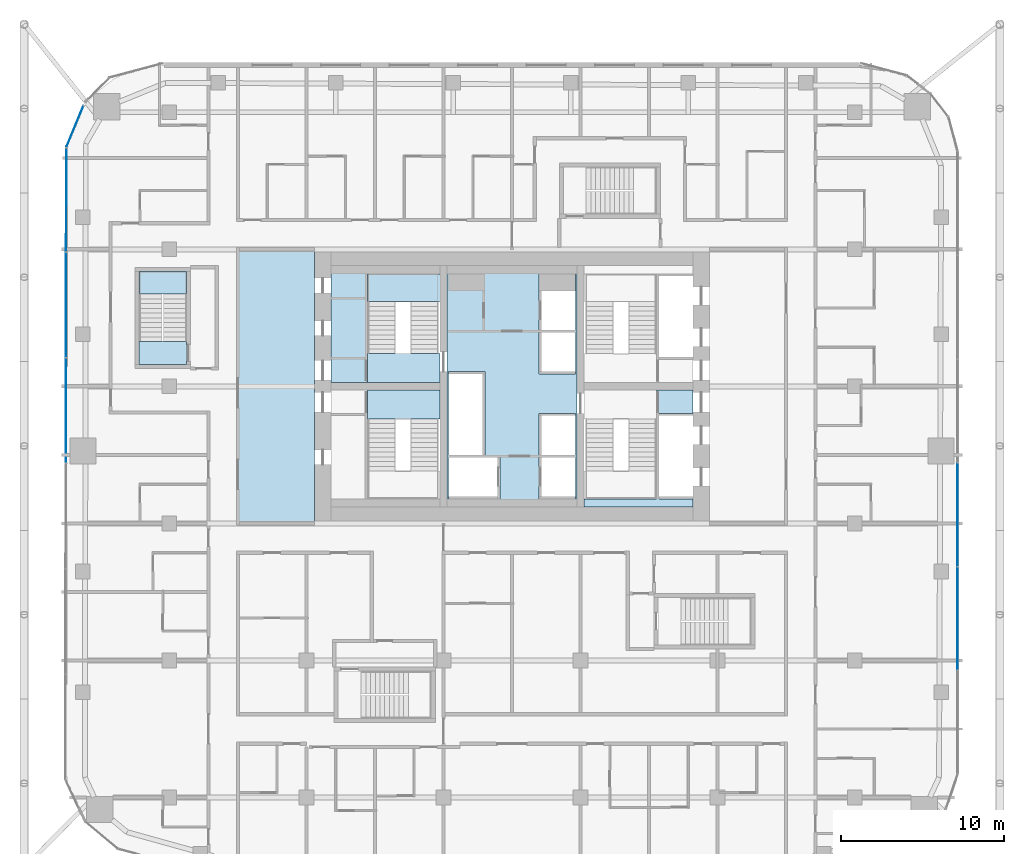
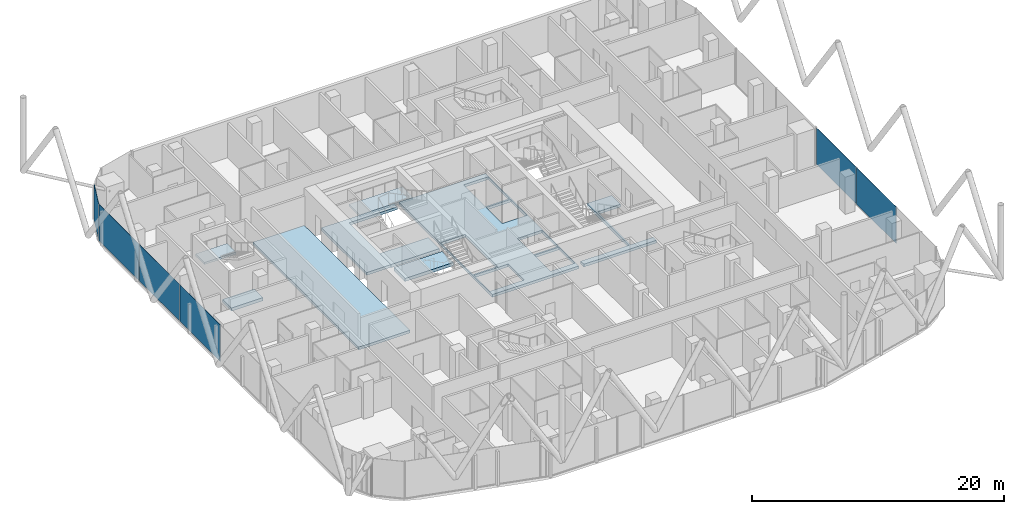
# One storey, part 21 of 33: 9 slabs, 6 plates, 5 elements without a shape of their own.
"""IFC4 building model written with IfcOpenShell, lengths in metres."""

from ifc_helpers import new_model, si_unit, direction, frame, origin, origin_2d, place, context, subcontext, project, spatial, polyline, rectangle, outline, extrude, material, layer, layer_set, type_object, element, aggregate, save


model = new_model("IFC4")

# Units and contexts
model_context = context("Model", 3, precision=1e-05, world=origin(), true_north=direction((0.0, 1.0)))
body_context = subcontext(model_context, "Body", "Model", "MODEL_VIEW")
ifc_project = project(units=[si_unit("LENGTHUNIT", "METRE"), si_unit("AREAUNIT", "SQUARE_METRE"), si_unit("VOLUMEUNIT", "CUBIC_METRE"), si_unit("PLANEANGLEUNIT", "RADIAN"), si_unit("MASSUNIT", "GRAM", prefix="KILO")], contexts=[model_context])

# Site, building, storey
site_placement = place(None, origin())
site = spatial("IfcSite", under=ifc_project, at=site_placement, CompositionType="ELEMENT")
building_placement = place(site_placement, origin())
building = spatial("IfcBuilding", under=site, at=building_placement, Name="Marenta Gate Hotel Tower", CompositionType="ELEMENT")
storey_placement = place(building_placement, frame((0.0, 0.0, 122.89990234375)))
storey = spatial("IfcBuildingStorey", under=building, at=storey_placement, Name="L27", CompositionType="ELEMENT", Elevation=122.89990234375)

# Slabs
ifc_material_1 = material(Name="Concrete C40", Category="concrete")
ifc_layer_1 = layer(ifc_material_1, 0.260009765625)
ifc_layer_set_1 = layer_set([ifc_layer_1], Name="Concrete C40")
slab_type_1 = type_object("IfcSlabType", Name="Core floor slab 260", PredefinedType="FLOOR", material=ifc_layer_set_1)
slab_1_placement = place(storey_placement, frame((0.0, 0.0, -0.260009765625)))
element("IfcSlab", 1, at=slab_1_placement, inside=storey, type_object=slab_type_1, Name="L27-CF-2", PredefinedType="FLOOR", context=body_context, shape_type="SweptSolid", body=[
    extrude(outline(polyline([(8.85009765625, 1.5), (8.85009765625, 6.39990234375), (8.85009765625, 8.10009765625), (8.85009765625, 8.175048828125), (11.10009765625, 8.175048828125), (11.10009765625, 6.75), (9.0, 6.75), (9.0, 6.60009765625), (9.0, 4.199951171875), (9.0, 4.050048828125), (9.0, 1.64990234375), (9.0, 1.5), (11.10009765625, 1.5), (11.10009765625, 1.0), (4.425048828125, 1.0), (4.425048828125, 1.5), (8.85009765625, 1.5)])), origin(), (0.0, 0.0, 1.0), 0.260009765625),
])
slab_2_placement = place(storey_placement, frame((0.0, 0.0, -0.260009765625)))
element("IfcSlab", 2, at=slab_2_placement, inside=storey, type_object=slab_type_1, Name="L27-CF-4", PredefinedType="FLOOR", context=body_context, shape_type="SweptSolid", body=[
    extrude(outline(polyline([(3.97509765625, 15.300048828125), (3.97509765625, 10.39990234375), (3.97509765625, 6.39990234375), (3.97509765625, 1.5), (3.97509765625, 1.0), (-3.97509765625, 1.0), (-3.97509765625, 1.5), (-3.97509765625, 6.39990234375), (-3.97509765625, 10.39990234375), (-3.97509765625, 15.300048828125), (-3.97509765625, 15.800048828125), (3.97509765625, 15.800048828125), (3.97509765625, 15.300048828125)]), holes=[polyline([(1.64990234375, 1.5), (3.89990234375, 1.5), (3.89990234375, 1.64990234375), (3.89990234375, 4.050048828125), (1.800048828125, 4.050048828125), (1.64990234375, 4.050048828125), (1.64990234375, 1.64990234375), (1.64990234375, 1.5)]), polyline([(1.64990234375, 6.60009765625), (1.64990234375, 4.199951171875), (1.800048828125, 4.199951171875), (3.89990234375, 4.199951171875), (3.89990234375, 6.60009765625), (3.89990234375, 6.75), (1.64990234375, 6.75), (1.64990234375, 6.60009765625)]), polyline([(1.64990234375, 9.14990234375), (3.89990234375, 9.14990234375), (3.89990234375, 9.300048828125), (3.89990234375, 11.699951171875), (1.800048828125, 11.699951171875), (1.64990234375, 11.699951171875), (1.64990234375, 9.300048828125), (1.64990234375, 9.14990234375)]), polyline([(1.64990234375, 15.300048828125), (1.64990234375, 14.25), (1.64990234375, 11.85009765625), (1.800048828125, 11.85009765625), (3.89990234375, 11.85009765625), (3.89990234375, 14.25), (3.89990234375, 15.300048828125), (1.64990234375, 15.300048828125)]), polyline([(-3.89990234375, 4.050048828125), (-3.89990234375, 1.64990234375), (-3.89990234375, 1.5), (-0.89990234375, 1.5), (-0.75, 1.5), (-0.75, 4.050048828125), (-0.89990234375, 4.050048828125), (-3.89990234375, 4.050048828125)]), polyline([(-1.800048828125, 4.199951171875), (-1.64990234375, 4.199951171875), (-1.64990234375, 9.14990234375), (-1.64990234375, 9.300048828125), (-3.89990234375, 9.300048828125), (-3.89990234375, 9.14990234375), (-3.89990234375, 6.75), (-3.89990234375, 6.60009765625), (-3.89990234375, 4.199951171875), (-1.800048828125, 4.199951171875)])]), origin(), (0.0, 0.0, 1.0), 0.260009765625),
])
slab_3_placement = place(storey_placement, frame((0.0, 0.0, -0.260009765625)))
element("IfcSlab", 3, at=slab_3_placement, inside=storey, type_object=slab_type_1, Name="L27-CF-6", PredefinedType="FLOOR", context=body_context, shape_type="SweptSolid", body=[
    extrude(outline(polyline([(-4.425048828125, 15.300048828125), (-8.85009765625, 15.300048828125), (-8.85009765625, 10.39990234375), (-8.85009765625, 8.699951171875), (-8.85009765625, 8.625), (-11.10009765625, 8.625), (-11.10009765625, 15.800048828125), (-4.425048828125, 15.800048828125), (-4.425048828125, 15.300048828125)])), origin(), (0.0, 0.0, 1.0), 0.260009765625),
])
slab_4_placement = place(storey_placement, frame((0.0, 0.0, -0.260009765625)))
element("IfcSlab", 4, at=slab_4_placement, inside=storey, type_object=slab_type_1, Name="L27-CF-7", PredefinedType="FLOOR", context=body_context, shape_type="SweptSolid", body=[
    extrude(outline(polyline([(-12.10009765625, 16.800048828125), (-12.10009765625, 0.0), (-16.800048828125, 0.0), (-16.800048828125, 16.800048828125), (-12.10009765625, 16.800048828125)])), origin(), (0.0, 0.0, 1.0), 0.260009765625),
])

# Stair, slab
ifc_material_2 = material(Name="Concrete C40", Category="concrete")
stair_type_1 = type_object("IfcStairType", Name="Core exit stair 1700 wide", PredefinedType="HALF_TURN_STAIR", material=ifc_material_2)
stair_1_placement = place(storey_placement, origin())
stair_1 = element("IfcStair", 5, at=stair_1_placement, inside=storey, type_object=stair_type_1, Name="Exit stair 2", PredefinedType="HALF_TURN_STAIR")
ifc_material_3 = material(Name="Concrete C40", Category="concrete")
ifc_layer_2 = layer(ifc_material_3, 0.199951171875)
ifc_layer_set_2 = layer_set([ifc_layer_2], Name="Concrete C40")
slab_type_2 = type_object("IfcSlabType", Name="Core stair landing 200", PredefinedType="LANDING", material=ifc_layer_set_2)
slab_5_placement = place(storey_placement, frame((0.0, 0.0, 1.60009765625)))
slab_5 = element("IfcSlab", 6, at=slab_5_placement, type_object=slab_type_2, Name="SL-200 ST2 landing 1", PredefinedType="LANDING", context=body_context, shape_type="SweptSolid", body=[
    extrude(outline(polyline([(-8.85009765625, 13.590087890625), (-3.97509765625, 13.590087890625), (-3.97509765625, 15.300048828125), (-8.85009765625, 15.300048828125), (-8.85009765625, 13.590087890625)])), origin(), (0.0, 0.0, 1.0), 0.199951171875),
])
aggregate(stair_1, [slab_5])

# Curtain wall, plate
ifc_material_4 = material(Name="Tinted insulated glass in bronze anodised frame", Category="glass")
ifc_layer_3 = layer(ifc_material_4, 0.1201171875)
ifc_layer_set_3 = layer_set([ifc_layer_3], Name="Tinted insulated glass in bronze anodised frame")
curtain_wall_type = type_object("IfcCurtainWallType", Name="Tower unitised curtain wall CW1", PredefinedType="NOTDEFINED", material=ifc_layer_set_3)
curtain_wall_1_placement = place(storey_placement, origin())
curtain_wall_1 = element("IfcCurtainWall", 7, at=curtain_wall_1_placement, inside=storey, type_object=curtain_wall_type, Name="CW1 run G03", PredefinedType="NOTDEFINED")
ifc_material_5 = material(Name="Tinted insulated glass", Category="glass")
ifc_layer_4 = layer(ifc_material_5, 0.028076171875)
ifc_layer_set_4 = layer_set([ifc_layer_4], Name="Tinted insulated glass")
plate_type = type_object("IfcPlateType", Name="Glass panel CW1 28 mm tinted insulated unit", PredefinedType="CURTAIN_PANEL", material=ifc_layer_set_4)
plate_1_placement = place(storey_placement, frame((-26.791015625, 24.324462890625, 0.06005859375), z_axis=(0.0, 0.0, 1.0), x_axis=(-0.382683829775, -0.923879367898, 0.0)))
plate_1 = element("IfcPlate", 8, at=plate_1_placement, type_object=plate_type, Name="CW1 panel 1.1", PredefinedType="CURTAIN_PANEL", context=body_context, shape_type="SweptSolid", body=[
    extrude(rectangle(XDim=2.72412109375, YDim=0.028076171875, at=origin_2d()), origin(), (0.0, 0.0, 1.0), 3.5400390625),
])
aggregate(curtain_wall_1, [plate_1])

# Curtain wall, plates
curtain_wall_2_placement = place(storey_placement, origin())
curtain_wall_2 = element("IfcCurtainWall", 9, at=curtain_wall_2_placement, inside=storey, type_object=curtain_wall_type, Name="CW1 run G04", PredefinedType="NOTDEFINED")
plate_2_placement = place(storey_placement, frame((-27.3173828125, 19.8212890625, 0.06005859375), z_axis=(0.0, 0.0, 1.0), x_axis=(-0.001566045546, -0.99999877375, 0.0)))
plate_2 = element("IfcPlate", 10, at=plate_2_placement, type_object=plate_type, Name="CW1 panel 1.1", PredefinedType="CURTAIN_PANEL", context=body_context, shape_type="SweptSolid", body=[
    extrude(rectangle(XDim=6.3701171875, YDim=0.028076171875, at=origin_2d()), origin(), (0.0, 0.0, 1.0), 3.5400390625),
])
plate_3_placement = place(storey_placement, frame((-27.327392578125, 13.376220703125, 0.06005859375), z_axis=(0.0, 0.0, 1.0), x_axis=(-0.001566045546, -0.99999877375, 0.0)))
plate_3 = element("IfcPlate", 11, at=plate_3_placement, type_object=plate_type, Name="CW1 panel 2.1", PredefinedType="CURTAIN_PANEL", context=body_context, shape_type="SweptSolid", body=[
    extrude(rectangle(XDim=6.39990234375, YDim=0.028076171875, at=origin_2d()), origin(), (0.0, 0.0, 1.0), 3.5400390625),
])
plate_4_placement = place(storey_placement, frame((-27.337646484375, 6.916259765625, 0.06005859375), z_axis=(0.0, 0.0, 1.0), x_axis=(-0.001566045546, -0.99999877375, 0.0)))
plate_4 = element("IfcPlate", 12, at=plate_4_placement, type_object=plate_type, Name="CW1 panel 3.1", PredefinedType="CURTAIN_PANEL", context=body_context, shape_type="SweptSolid", body=[
    extrude(rectangle(XDim=6.39990234375, YDim=0.028076171875, at=origin_2d()), origin(), (0.0, 0.0, 1.0), 3.5400390625),
])
aggregate(curtain_wall_2, [plate_2, plate_3, plate_4])

curtain_wall_3_placement = place(storey_placement, origin())
curtain_wall_3 = element("IfcCurtainWall", 13, at=curtain_wall_3_placement, inside=storey, type_object=curtain_wall_type, Name="CW1 run G19", PredefinedType="NOTDEFINED")
plate_5_placement = place(storey_placement, frame((27.31396484375, -5.828125, 0.06005859375), z_axis=(0.0, 0.0, 1.0), x_axis=(0.0, 1.0, 0.0)))
plate_5 = element("IfcPlate", 14, at=plate_5_placement, type_object=plate_type, Name="CW1 panel 2.1", PredefinedType="CURTAIN_PANEL", context=body_context, shape_type="SweptSolid", body=[
    extrude(rectangle(XDim=6.300048828125, YDim=0.028076171875, at=origin_2d()), origin(), (0.0, 0.0, 1.0), 3.5400390625),
])
plate_6_placement = place(storey_placement, frame((27.31396484375, 0.531982421875, 0.06005859375), z_axis=(0.0, 0.0, 1.0), x_axis=(0.0, 1.0, 0.0)))
plate_6 = element("IfcPlate", 15, at=plate_6_placement, type_object=plate_type, Name="CW1 panel 3.1", PredefinedType="CURTAIN_PANEL", context=body_context, shape_type="SweptSolid", body=[
    extrude(rectangle(XDim=6.300048828125, YDim=0.028076171875, at=origin_2d()), origin(), (0.0, 0.0, 1.0), 3.5400390625),
])
aggregate(curtain_wall_3, [plate_5, plate_6])

# Stair, slab
ifc_material_6 = material(Name="Concrete C40", Category="concrete")
stair_type_2 = type_object("IfcStairType", Name="Remote exit stair 1400 wide", PredefinedType="HALF_TURN_STAIR", material=ifc_material_6)
stair_2_placement = place(storey_placement, origin())
stair_2 = element("IfcStair", 16, at=stair_2_placement, inside=storey, type_object=stair_type_2, Name="Exit stair RS-Z1-3", PredefinedType="HALF_TURN_STAIR")
ifc_material_7 = material(Name="Concrete C40", Category="concrete")
ifc_layer_5 = layer(ifc_material_7, 0.199951171875)
ifc_layer_set_5 = layer_set([ifc_layer_5], Name="Concrete C40")
slab_type_3 = type_object("IfcSlabType", Name="Remote stair landing 200", PredefinedType="LANDING", material=ifc_layer_set_5)
slab_6_placement = place(storey_placement, frame((0.0, 0.0, 1.60009765625)))
slab_6 = element("IfcSlab", 17, at=slab_6_placement, type_object=slab_type_3, Name="RL-200 RS-Z1-3 landing 1", PredefinedType="LANDING", context=body_context, shape_type="SweptSolid", body=[
    extrude(outline(polyline([(-22.85009765625, 14.050048828125), (-19.949951171875, 14.050048828125), (-19.949951171875, 15.449951171875), (-22.85009765625, 15.449951171875), (-22.85009765625, 14.050048828125)])), origin(), (0.0, 0.0, 1.0), 0.199951171875),
])
aggregate(stair_2, [slab_6])

# Slabs
ifc_material_8 = material(Name="Concrete C40", Category="concrete")
ifc_layer_6 = layer(ifc_material_8, 0.300048828125)
ifc_layer_set_6 = layer_set([ifc_layer_6], Name="Concrete C40")
slab_type_4 = type_object("IfcSlabType", Name="Stair floor landing slab 300", PredefinedType="FLOOR", material=ifc_layer_set_6)
slab_7_placement = place(storey_placement, frame((0.0, 0.0, -0.2998046875)))
element("IfcSlab", 18, at=slab_7_placement, inside=storey, type_object=slab_type_4, Name="L27-CL-ST1-1", PredefinedType="FLOOR", context=body_context, shape_type="SweptSolid", body=[
    extrude(outline(polyline([(-4.425048828125, 6.39990234375), (-8.85009765625, 6.39990234375), (-8.85009765625, 8.10009765625), (-8.85009765625, 8.175048828125), (-4.425048828125, 8.175048828125), (-4.425048828125, 6.39990234375)])), origin(), (0.0, 0.0, 1.0), 0.2998046875),
])
slab_8_placement = place(storey_placement, frame((0.0, 0.0, -0.2998046875)))
element("IfcSlab", 19, at=slab_8_placement, inside=storey, type_object=slab_type_4, Name="L27-CL-ST2-1", PredefinedType="FLOOR", context=body_context, shape_type="SweptSolid", body=[
    extrude(outline(polyline([(-4.425048828125, 8.625), (-8.85009765625, 8.625), (-8.85009765625, 8.699951171875), (-8.85009765625, 10.39990234375), (-4.425048828125, 10.39990234375), (-4.425048828125, 8.625)])), origin(), (0.0, 0.0, 1.0), 0.2998046875),
])
slab_9_placement = place(storey_placement, frame((0.0, 0.0, -0.2998046875)))
element("IfcSlab", 20, at=slab_9_placement, inside=storey, type_object=slab_type_4, Name="L27-RS-Z1-3-CL", PredefinedType="FLOOR", context=body_context, shape_type="SweptSolid", body=[
    extrude(outline(polyline([(-19.949951171875, 9.75), (-19.949951171875, 11.14990234375), (-22.85009765625, 11.14990234375), (-22.85009765625, 9.75), (-19.949951171875, 9.75)])), origin(), (0.0, 0.0, 1.0), 0.2998046875),
])

save(model, "model.ifc")
